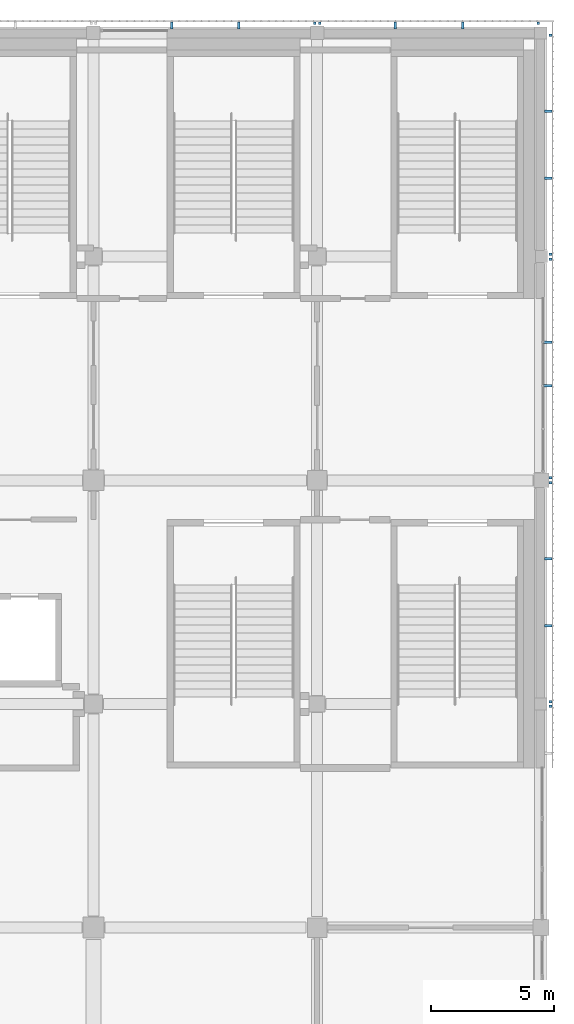
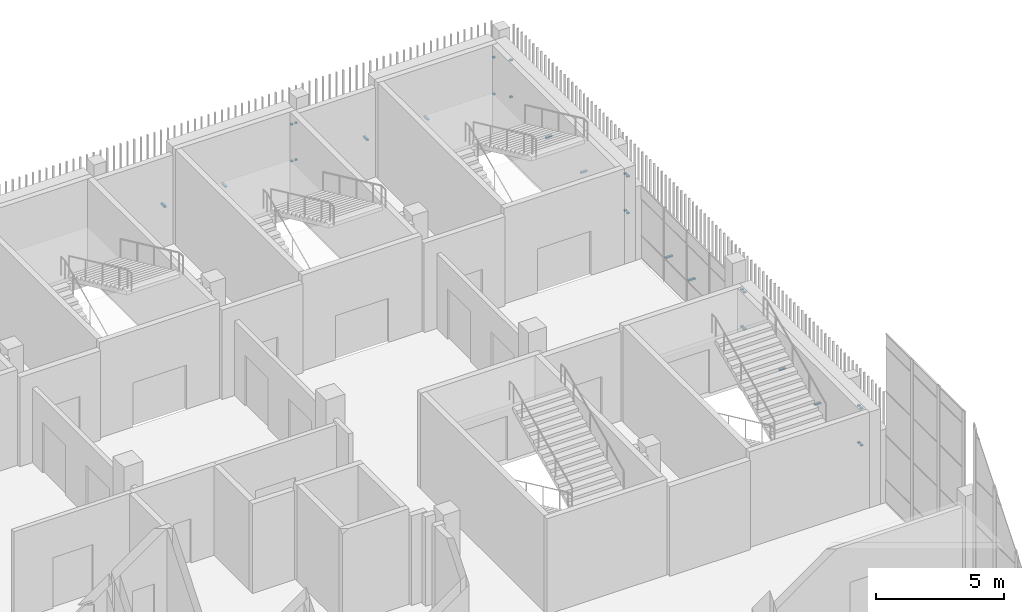
# One storey, part 106 of 126: 30 discrete accessories.
"""IFC4 building model written with IfcOpenShell, lengths in metres."""

from ifc_helpers import new_model, si_unit, direction, frame, origin, origin_2d, place, context, subcontext, project, spatial, rectangle, extrude, material, type_object, element, save


model = new_model("IFC4")

# Units and contexts
model_context = context("Model", 3, precision=1e-05, world=origin(), true_north=direction((0.0, 1.0)))
body_context = subcontext(model_context, "Body", "Model", "MODEL_VIEW")
ifc_project = project(units=[si_unit("LENGTHUNIT", "METRE"), si_unit("AREAUNIT", "SQUARE_METRE"), si_unit("VOLUMEUNIT", "CUBIC_METRE"), si_unit("PLANEANGLEUNIT", "RADIAN"), si_unit("MASSUNIT", "GRAM", prefix="KILO")], contexts=[model_context])

# Site, building, storey
site_placement = place(None, origin())
site = spatial("IfcSite", under=ifc_project, at=site_placement, CompositionType="ELEMENT")
building_placement = place(site_placement, origin())
building = spatial("IfcBuilding", under=site, at=building_placement, Name="Shirokan Park Arena", CompositionType="ELEMENT")
storey_placement = place(building_placement, frame((0.0, 0.0, 6.3701171875)))
storey = spatial("IfcBuildingStorey", under=building, at=storey_placement, Name="L01", CompositionType="ELEMENT", Elevation=6.3701171875)

# Discrete accessories
ifc_material = material(Name="Steel S355", Category="steel")
discrete_accessory_type = type_object("IfcDiscreteAccessoryType", Name="Veil bracket 100x60", PredefinedType="BRACKET", material=ifc_material)
for number, where, z_axis, x_axis, name in (
    (1, (145.985107421875, 81.800048828125, 1.06982421875), (0.0, 0.0, 1.0), (0.0, 1.0, 0.0), "Veil bracket east bay 9 L01 2"),
    (2, (145.985107421875, 81.800048828125, 2.81982421875), (0.0, 0.0, 1.0), (0.0, 1.0, 0.0), "Veil bracket east bay 9 L01 4"),
    (3, (145.985107421875, 82.0, 1.06982421875), (0.0, 0.0, 1.0), (0.0, 1.0, 0.0), "Veil bracket east bay 10 L01 1"),
    (4, (145.985107421875, 90.89990234375, 1.06982421875), (0.0, 0.0, 1.0), (0.0, 1.0, 0.0), "Veil bracket east bay 10 L01 2"),
    (5, (145.985107421875, 82.0, 2.81982421875), (0.0, 0.0, 1.0), (0.0, 1.0, 0.0), "Veil bracket east bay 10 L01 3"),
    (6, (145.985107421875, 90.89990234375, 2.81982421875), (0.0, 0.0, 1.0), (0.0, 1.0, 0.0), "Veil bracket east bay 10 L01 4"),
):
    element("IfcDiscreteAccessory", number, at=place(storey_placement, frame(where, z_axis=z_axis, x_axis=x_axis)), inside=storey, type_object=discrete_accessory_type, Name=name, PredefinedType="BRACKET", context=body_context, shape_type="SweptSolid", body=[
        extrude(rectangle(XDim=0.10009765625, YDim=0.1201171875, at=origin_2d()), origin(), (0.0, 0.0, 1.0), 0.06005859375),
    ])
for number, where, z_axis, x_axis, name in (
    (7, (145.8974609375, 85.0849609375, 1.06982421875), (0.0, 0.0, 1.0), (0.0, 1.0, 0.0), "Veil bracket east bay 10 L01 wall 1"),
    (8, (145.8974609375, 87.81494140625, 1.06982421875), (0.0, 0.0, 1.0), (0.0, 1.0, 0.0), "Veil bracket east bay 10 L01 wall 2"),
):
    element("IfcDiscreteAccessory", number, at=place(storey_placement, frame(where, z_axis=z_axis, x_axis=x_axis)), inside=storey, type_object=discrete_accessory_type, Name=name, PredefinedType="BRACKET", context=body_context, shape_type="SweptSolid", body=[
        extrude(rectangle(XDim=0.10009765625, YDim=0.294921875, at=origin_2d()), origin(), (0.0, 0.0, 1.0), 0.06005859375),
    ])
for number, where, z_axis, x_axis, name in (
    (9, (145.985107421875, 91.10009765625, 1.06982421875), (0.0, 0.0, 1.0), (0.0, 1.0, 0.0), "Veil bracket east bay 11 L01 1"),
    (10, (145.985107421875, 100.0, 1.06982421875), (0.0, 0.0, 1.0), (0.0, 1.0, 0.0), "Veil bracket east bay 11 L01 2"),
    (11, (145.985107421875, 91.10009765625, 2.81982421875), (0.0, 0.0, 1.0), (0.0, 1.0, 0.0), "Veil bracket east bay 11 L01 3"),
    (12, (145.985107421875, 100.0, 2.81982421875), (0.0, 0.0, 1.0), (0.0, 1.0, 0.0), "Veil bracket east bay 11 L01 4"),
):
    element("IfcDiscreteAccessory", number, at=place(storey_placement, frame(where, z_axis=z_axis, x_axis=x_axis)), inside=storey, type_object=discrete_accessory_type, Name=name, PredefinedType="BRACKET", context=body_context, shape_type="SweptSolid", body=[
        extrude(rectangle(XDim=0.10009765625, YDim=0.1201171875, at=origin_2d()), origin(), (0.0, 0.0, 1.0), 0.06005859375),
    ])
for number, where, z_axis, x_axis, name in (
    (13, (145.8798828125, 94.85009765625, 1.06982421875), (0.0, 0.0, 1.0), (0.0, 1.0, 0.0), "Veil bracket east bay 11 L01 wall 1"),
    (14, (145.8798828125, 96.625, 1.06982421875), (0.0, 0.0, 1.0), (0.0, 1.0, 0.0), "Veil bracket east bay 11 L01 wall 2"),
):
    element("IfcDiscreteAccessory", number, at=place(storey_placement, frame(where, z_axis=z_axis, x_axis=x_axis)), inside=storey, type_object=discrete_accessory_type, Name=name, PredefinedType="BRACKET", context=body_context, shape_type="SweptSolid", body=[
        extrude(rectangle(XDim=0.10009765625, YDim=0.330078125, at=origin_2d()), origin(), (0.0, 0.0, 1.0), 0.06005859375),
    ])
for number, where, z_axis, x_axis, name in (
    (15, (145.985107421875, 100.199951171875, 1.06982421875), (0.0, 0.0, 1.0), (0.0, 1.0, 0.0), "Veil bracket east bay 12 L01 1"),
    (16, (145.985107421875, 109.10009765625, 1.06982421875), (0.0, 0.0, 1.0), (0.0, 1.0, 0.0), "Veil bracket east bay 12 L01 2"),
    (17, (145.985107421875, 100.199951171875, 2.81982421875), (0.0, 0.0, 1.0), (0.0, 1.0, 0.0), "Veil bracket east bay 12 L01 3"),
    (18, (145.985107421875, 109.10009765625, 2.81982421875), (0.0, 0.0, 1.0), (0.0, 1.0, 0.0), "Veil bracket east bay 12 L01 4"),
):
    element("IfcDiscreteAccessory", number, at=place(storey_placement, frame(where, z_axis=z_axis, x_axis=x_axis)), inside=storey, type_object=discrete_accessory_type, Name=name, PredefinedType="BRACKET", context=body_context, shape_type="SweptSolid", body=[
        extrude(rectangle(XDim=0.10009765625, YDim=0.1201171875, at=origin_2d()), origin(), (0.0, 0.0, 1.0), 0.06005859375),
    ])
for number, where, z_axis, x_axis, name in (
    (19, (145.8974609375, 103.284912109375, 1.06982421875), (0.0, 0.0, 1.0), (0.0, 1.0, 0.0), "Veil bracket east bay 12 L01 wall 1"),
    (20, (145.8974609375, 106.014892578125, 1.06982421875), (0.0, 0.0, 1.0), (0.0, 1.0, 0.0), "Veil bracket east bay 12 L01 wall 2"),
):
    element("IfcDiscreteAccessory", number, at=place(storey_placement, frame(where, z_axis=z_axis, x_axis=x_axis)), inside=storey, type_object=discrete_accessory_type, Name=name, PredefinedType="BRACKET", context=body_context, shape_type="SweptSolid", body=[
        extrude(rectangle(XDim=0.10009765625, YDim=0.294921875, at=origin_2d()), origin(), (0.0, 0.0, 1.0), 0.06005859375),
    ])
for number, where, z_axis, x_axis, name in (
    (21, (145.5, 109.597412109375, 1.06982421875), (0.0, 0.0, 1.0), (-1.0, 0.0, 0.0), "Veil bracket north bay 1 L01 1"),
    (22, (136.60009765625, 109.597412109375, 1.06982421875), (0.0, 0.0, 1.0), (-1.0, 0.0, 0.0), "Veil bracket north bay 1 L01 2"),
    (23, (145.5, 109.597412109375, 2.81982421875), (0.0, 0.0, 1.0), (-1.0, 0.0, 0.0), "Veil bracket north bay 1 L01 3"),
    (24, (136.60009765625, 109.597412109375, 2.81982421875), (0.0, 0.0, 1.0), (-1.0, 0.0, 0.0), "Veil bracket north bay 1 L01 4"),
):
    element("IfcDiscreteAccessory", number, at=place(storey_placement, frame(where, z_axis=z_axis, x_axis=x_axis)), inside=storey, type_object=discrete_accessory_type, Name=name, PredefinedType="BRACKET", context=body_context, shape_type="SweptSolid", body=[
        extrude(rectangle(XDim=0.10009765625, YDim=0.094970703125, at=origin_2d()), origin(), (0.0, 0.0, 1.0), 0.06005859375),
    ])
for number, where, z_axis, x_axis, name in (
    (25, (142.4150390625, 109.49755859375, 1.06982421875), (0.0, 0.0, 1.0), (-1.0, 0.0, 0.0), "Veil bracket north bay 1 L01 wall 1"),
    (26, (139.68505859375, 109.49755859375, 1.06982421875), (0.0, 0.0, 1.0), (-1.0, 0.0, 0.0), "Veil bracket north bay 1 L01 wall 2"),
):
    element("IfcDiscreteAccessory", number, at=place(storey_placement, frame(where, z_axis=z_axis, x_axis=x_axis)), inside=storey, type_object=discrete_accessory_type, Name=name, PredefinedType="BRACKET", context=body_context, shape_type="SweptSolid", body=[
        extrude(rectangle(XDim=0.10009765625, YDim=0.294921875, at=origin_2d()), origin(), (0.0, 0.0, 1.0), 0.06005859375),
    ])
for number, where, z_axis, x_axis, name in (
    (27, (136.39990234375, 109.597412109375, 1.06982421875), (0.0, 0.0, 1.0), (-1.0, 0.0, 0.0), "Veil bracket north bay 2 L01 1"),
    (28, (136.39990234375, 109.597412109375, 2.81982421875), (0.0, 0.0, 1.0), (-1.0, 0.0, 0.0), "Veil bracket north bay 2 L01 3"),
):
    element("IfcDiscreteAccessory", number, at=place(storey_placement, frame(where, z_axis=z_axis, x_axis=x_axis)), inside=storey, type_object=discrete_accessory_type, Name=name, PredefinedType="BRACKET", context=body_context, shape_type="SweptSolid", body=[
        extrude(rectangle(XDim=0.10009765625, YDim=0.094970703125, at=origin_2d()), origin(), (0.0, 0.0, 1.0), 0.06005859375),
    ])
for number, where, z_axis, x_axis, name in (
    (29, (133.31494140625, 109.49755859375, 1.06982421875), (0.0, 0.0, 1.0), (-1.0, 0.0, 0.0), "Veil bracket north bay 2 L01 wall 1"),
    (30, (130.5849609375, 109.49755859375, 1.06982421875), (0.0, 0.0, 1.0), (-1.0, 0.0, 0.0), "Veil bracket north bay 2 L01 wall 2"),
):
    element("IfcDiscreteAccessory", number, at=place(storey_placement, frame(where, z_axis=z_axis, x_axis=x_axis)), inside=storey, type_object=discrete_accessory_type, Name=name, PredefinedType="BRACKET", context=body_context, shape_type="SweptSolid", body=[
        extrude(rectangle(XDim=0.10009765625, YDim=0.294921875, at=origin_2d()), origin(), (0.0, 0.0, 1.0), 0.06005859375),
    ])

save(model, "model.ifc")
